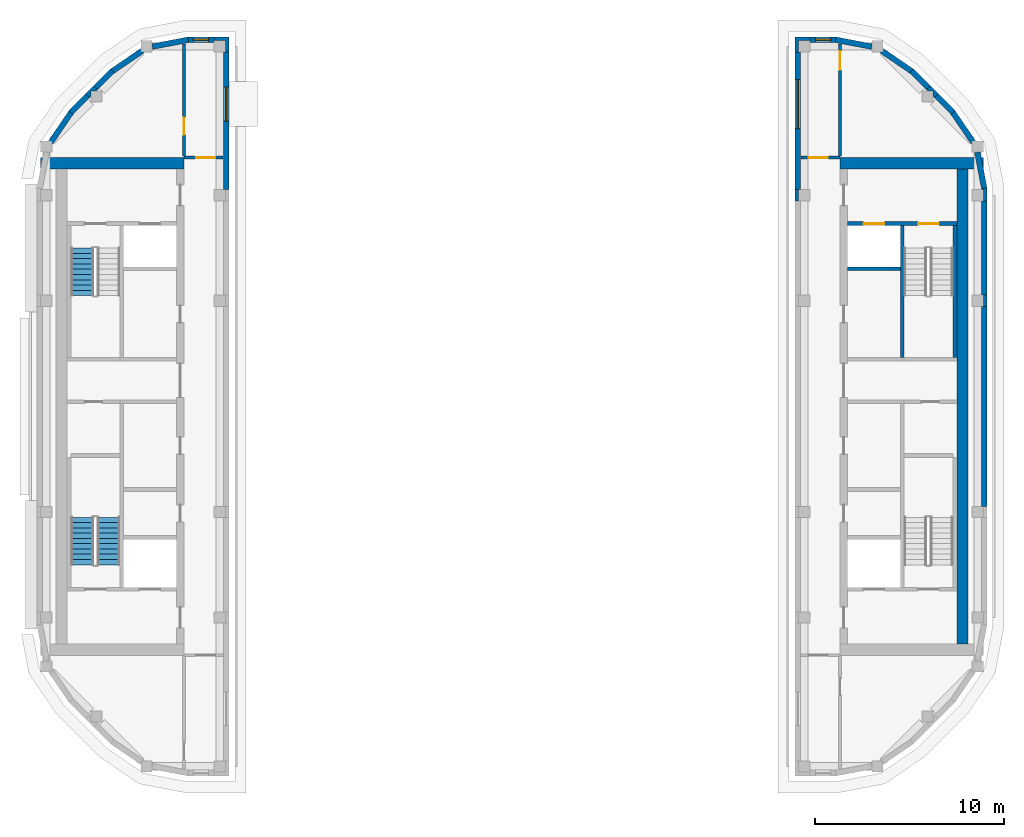
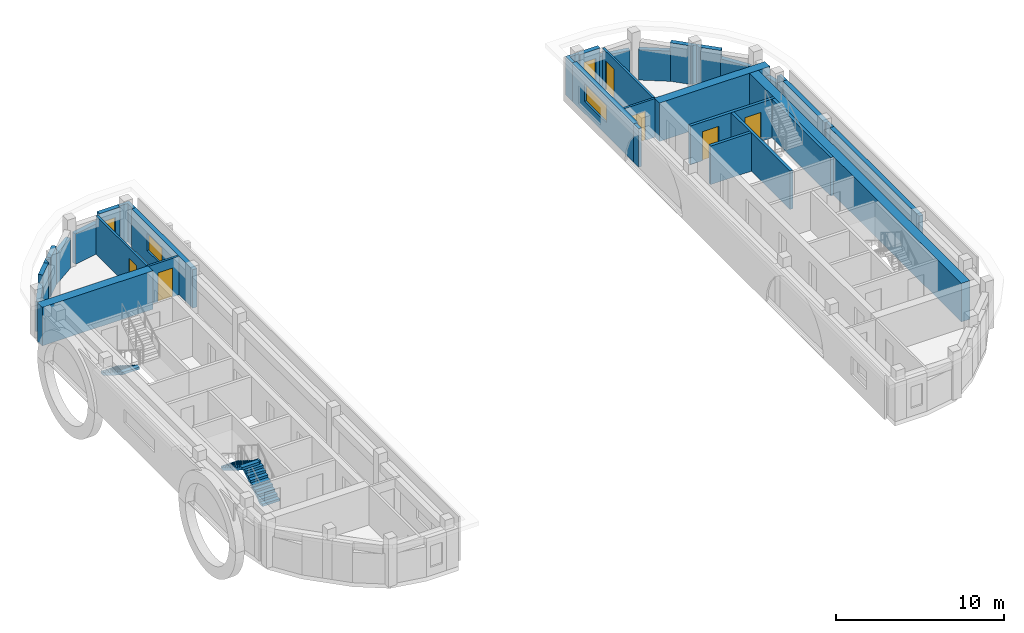
# One storey, part 4 of 12: 35 walls, 6 doors, 4 windows, 3 stair flights, 10 openings, 2 elements without a shape of their own.
"""IFC4 building model written with IfcOpenShell, lengths in metres."""

from ifc_helpers import new_model, si_unit, direction, frame, frame_2d, origin, place, context, subcontext, project, spatial, polyline, rectangle, outline, extrude, material, layer, layer_set, type_object, element, fill, aggregate, save


model = new_model("IFC4")

# Units and contexts
model_context = context("Model", 3, precision=1e-05, world=origin(), true_north=direction((0.0, 1.0)))
body_context = subcontext(model_context, "Body", "Model", "MODEL_VIEW")
ifc_project = project(units=[si_unit("LENGTHUNIT", "METRE"), si_unit("AREAUNIT", "SQUARE_METRE"), si_unit("VOLUMEUNIT", "CUBIC_METRE"), si_unit("PLANEANGLEUNIT", "RADIAN"), si_unit("MASSUNIT", "GRAM", prefix="KILO")], contexts=[model_context])

# Site, building, storey
site_placement = place(None, origin())
site = spatial("IfcSite", under=ifc_project, at=site_placement, CompositionType="ELEMENT")
building_placement = place(site_placement, origin())
building = spatial("IfcBuilding", under=site, at=building_placement, Name="Kiln Ring Residences", CompositionType="ELEMENT")
storey_placement = place(building_placement, frame((0.0, 0.0, 310.39990234375)))
storey = spatial("IfcBuildingStorey", under=building, at=storey_placement, Name="L80 Crown", CompositionType="ELEMENT", Elevation=310.39990234375)

# Walls
ifc_material_1 = material(Name="Gypsum shaft wall system")
ifc_layer_1 = layer(ifc_material_1, 0.199951171875)
ifc_layer_set_1 = layer_set([ifc_layer_1], Name="CORE-SHAFT-WALL-200")
wall_type_1 = type_object("IfcWallType", Name="CORE-SHAFT-WALL-200", PredefinedType="PARTITIONING", material=ifc_layer_set_1)
wall_1_placement = place(storey_placement, frame((17.800048828125, 7.300048828125, 0.0), z_axis=(0.0, 0.0, 1.0), x_axis=(1.0, 0.0, 0.0)))
element("IfcWall", 1, at=wall_1_placement, inside=storey, type_object=wall_type_1, Name="Core partition east L80 Crown 6", PredefinedType="PARTITIONING", context=body_context, shape_type="SweptSolid", body=[
    extrude(rectangle(XDim=2.800048828125, YDim=0.199951171875, at=frame_2d((1.39990234375, 0.0))), origin(), (0.0, 0.0, 1.0), 2.800048828125),
])
ifc_material_2 = material(Name="Concrete C40/50", Category="concrete")
ifc_layer_2 = layer(ifc_material_2, 0.199951171875)
ifc_layer_set_2 = layer_set([ifc_layer_2], Name="CORE-WALL-RC200")
wall_type_2 = type_object("IfcWallType", Name="CORE-WALL-RC200", PredefinedType="SHEAR", material=ifc_layer_set_2)
wall_2_placement = place(storey_placement, frame((20.699951171875, 2.60009765625, 0.0), z_axis=(0.0, 0.0, 1.0), x_axis=(0.0, 1.0, 0.0)))
element("IfcWall", 2, at=wall_2_placement, inside=storey, type_object=wall_type_2, Name="Core wall east L80 Crown 1", PredefinedType="SHEAR", context=body_context, shape_type="SweptSolid", body=[
    extrude(rectangle(XDim=7.0, YDim=0.199951171875, at=frame_2d((3.5, 0.0))), origin(), (0.0, 0.0, 1.0), 2.800048828125),
])

# Wall, openings, doors
wall_3_placement = place(storey_placement, frame((17.800048828125, 9.699951171875, 0.0), z_axis=(0.0, 0.0, 1.0), x_axis=(1.0, 0.0, 0.0)))
wall_3 = element("IfcWall", 3, at=wall_3_placement, inside=storey, type_object=wall_type_2, Name="Core wall east L80 Crown 9", PredefinedType="SHEAR", context=body_context, shape_type="SweptSolid", body=[
    extrude(rectangle(XDim=5.800048828125, YDim=0.199951171875, at=frame_2d((2.89990234375, 0.0))), origin(), (0.0, 0.0, 1.0), 2.800048828125),
])
opening_1_placement = place(wall_3_placement, frame((0.85009765625, 0.0, 0.0)))
opening_1 = element("IfcOpeningElement", 4, at=opening_1_placement, cuts=wall_3, Name="Opening L80-CE05", PredefinedType="OPENING", context=body_context, shape_type="SweptSolid", body=[
    extrude(rectangle(XDim=1.10009765625, YDim=2.10009765625, at=frame_2d((0.550048828125, 1.050048828125))), frame((0.0, 0.10986328125, 0.0), z_axis=(0.0, -1.0, 0.0), x_axis=(1.0, 0.0, 0.0)), (0.0, 0.0, 1.0), 0.219970703125),
])
opening_2_placement = place(wall_3_placement, frame((3.75, 0.0, 0.0)))
opening_2 = element("IfcOpeningElement", 5, at=opening_2_placement, cuts=wall_3, Name="Opening L80-CE08", PredefinedType="OPENING", context=body_context, shape_type="SweptSolid", body=[
    extrude(rectangle(XDim=1.10009765625, YDim=2.10009765625, at=frame_2d((0.550048828125, 1.050048828125))), frame((0.0, 0.10986328125, 0.0), z_axis=(0.0, -1.0, 0.0), x_axis=(1.0, 0.0, 0.0)), (0.0, 0.0, 1.0), 0.219970703125),
])
ifc_material_3 = material(Name="Steel door leaf", Category="steel")
door_type_1 = type_object("IfcDoorType", Name="CORE-DOOR-LD", OperationType="DOUBLE_DOOR_SLIDING", PredefinedType="DOOR", material=ifc_material_3)
door_1_placement = place(opening_1_placement, origin())
door_1 = element("IfcDoor", 6, at=door_1_placement, inside=storey, type_object=door_type_1, Name="LD E-FF L80-CE05", OperationType="DOUBLE_DOOR_SLIDING", OverallHeight=2.10009765625, OverallWidth=1.10009765625, PredefinedType="DOOR", context=body_context, shape_type="SweptSolid", body=[
    extrude(rectangle(XDim=1.10009765625, YDim=2.10009765625, at=frame_2d((0.550048828125, 1.050048828125))), frame((0.0, 0.02490234375, 0.0), z_axis=(0.0, -1.0, 0.0), x_axis=(1.0, 0.0, 0.0)), (0.0, 0.0, 1.0), 0.050048828125),
])
fill(opening_1, door_1)
ifc_material_4 = material(Name="Steel door leaf", Category="steel")
door_type_2 = type_object("IfcDoorType", Name="CORE-DOOR-STAIR", OperationType="SINGLE_SWING_LEFT", PredefinedType="DOOR", material=ifc_material_4)
door_2_placement = place(opening_2_placement, origin())
door_2 = element("IfcDoor", 7, at=door_2_placement, inside=storey, type_object=door_type_2, Name="Stair E-STN L80-CE08", OperationType="SINGLE_SWING_LEFT", OverallHeight=2.10009765625, OverallWidth=1.10009765625, PredefinedType="DOOR", context=body_context, shape_type="SweptSolid", body=[
    extrude(rectangle(XDim=1.10009765625, YDim=2.10009765625, at=frame_2d((0.550048828125, 1.050048828125))), frame((0.0, 0.02490234375, 0.0), z_axis=(0.0, -1.0, 0.0), x_axis=(1.0, 0.0, 0.0)), (0.0, 0.0, 1.0), 0.050048828125),
])
fill(opening_2, door_2)

# Walls
wall_4_placement = place(storey_placement, frame((23.5, 2.60009765625, 0.0), z_axis=(0.0, 0.0, 1.0), x_axis=(0.0, 1.0, 0.0)))
element("IfcWall", 8, at=wall_4_placement, inside=storey, type_object=wall_type_2, Name="Core wall east L80 Crown 10", PredefinedType="SHEAR", context=body_context, shape_type="SweptSolid", body=[
    extrude(rectangle(XDim=7.0, YDim=0.199951171875, at=frame_2d((3.5, 0.0))), origin(), (0.0, 0.0, 1.0), 2.800048828125),
])
ifc_material_5 = material(Name="Concrete C60/75", Category="concrete")
ifc_layer_3 = layer(ifc_material_5, 0.60009765625)
ifc_layer_set_3 = layer_set([ifc_layer_3], Name="CORE-WALL-RC600")
wall_type_3 = type_object("IfcWallType", Name="CORE-WALL-RC600", PredefinedType="SHEAR", material=ifc_layer_set_3)
for number, where, z_axis, x_axis, name in (
    (9, (-17.39990234375, 12.89990234375, 0.0), (0.0, 0.0, 1.0), (-1.0, 0.0, 0.0), "Core wall west L80 Crown 4"),
    (10, (17.39990234375, 12.89990234375, 0.0), (0.0, 0.0, 1.0), (1.0, 0.0, 0.0), "Core wall east L80 Crown 4"),
):
    element("IfcWall", number, at=place(storey_placement, frame(where, z_axis=z_axis, x_axis=x_axis)), inside=storey, type_object=wall_type_3, Name=name, PredefinedType="SHEAR", context=body_context, shape_type="SweptSolid", body=[
        extrude(rectangle(XDim=7.60009765625, YDim=0.60009765625, at=frame_2d((3.800048828125, 0.0))), origin(), (0.0, 0.0, 1.0), 2.800048828125),
    ])
wall_5_placement = place(storey_placement, frame((23.89990234375, -12.60009765625, 0.0), z_axis=(0.0, 0.0, 1.0), x_axis=(0.0, 1.0, 0.0)))
element("IfcWall", 11, at=wall_5_placement, inside=storey, type_object=wall_type_3, Name="Core wall east L80 Crown 7", PredefinedType="SHEAR", context=body_context, shape_type="SweptSolid", body=[
    extrude(rectangle(XDim=25.2001953125, YDim=0.60009765625, at=frame_2d((12.60009765625, 0.0))), origin(), (0.0, 0.0, 1.0), 2.800048828125),
])

# Wall, opening, window
ifc_material_6 = material(Name="Brick masonry, dark clay brick", Category="masonry")
ifc_layer_4 = layer(ifc_material_6, 0.300048828125)
ifc_layer_set_4 = layer_set([ifc_layer_4], Name="EW-300 BRICK WALL")
wall_type_4 = type_object("IfcWallType", Name="EW-300 BRICK WALL", PredefinedType="SOLIDWALL", material=ifc_layer_set_4)
wall_6_placement = place(storey_placement, frame((-15.14990234375, 11.5, 0.0), z_axis=(0.0, 0.0, 1.0), x_axis=(0.0, 1.0, 0.0)))
wall_6 = element("IfcWall", 12, at=wall_6_placement, inside=storey, type_object=wall_type_4, Name="Facade wall L80 Crown 8", PredefinedType="SOLIDWALL", context=body_context, shape_type="SweptSolid", body=[
    extrude(rectangle(XDim=7.300048828125, YDim=0.300048828125, at=frame_2d((3.64990234375, 0.0))), origin(), (0.0, 0.0, 1.0), 2.800048828125),
])
opening_3_placement = place(wall_6_placement, frame((3.637451171875, 0.0, 0.89990234375)))
opening_3 = element("IfcOpeningElement", 13, at=opening_3_placement, cuts=wall_6, Name="Opening W2", PredefinedType="OPENING", context=body_context, shape_type="SweptSolid", body=[
    extrude(rectangle(XDim=1.800048828125, YDim=1.25, at=frame_2d((0.89990234375, 0.625))), frame((0.0, 0.159912109375, 0.0), z_axis=(0.0, -1.0, 0.0), x_axis=(1.0, 0.0, 0.0)), (0.0, 0.0, 1.0), 0.320068359375),
])
ifc_material_7 = material(Name="Aluminium frame with double glazing", Category="aluminium")
window_type_1 = type_object("IfcWindowType", Name="WINDOW 1800 x 1250", PartitioningType="SINGLE_PANEL", PredefinedType="WINDOW", material=ifc_material_7)
window_1_placement = place(opening_3_placement, origin())
window_1 = element("IfcWindow", 14, at=window_1_placement, inside=storey, type_object=window_type_1, Name="Window L80 Crown 3", OverallHeight=1.25, OverallWidth=1.800048828125, PartitioningType="SINGLE_PANEL", PredefinedType="WINDOW", context=body_context, shape_type="SweptSolid", body=[
    extrude(rectangle(XDim=1.800048828125, YDim=1.25, at=frame_2d((0.89990234375, 0.625))), frame((0.0, 0.030029296875, 0.0), z_axis=(0.0, -1.0, 0.0), x_axis=(1.0, 0.0, 0.0)), (0.0, 0.0, 1.0), 0.06005859375),
])
fill(opening_3, window_1)

wall_7_placement = place(storey_placement, frame((-15.800048828125, 19.449951171875, 0.0), z_axis=(0.0, 0.0, 1.0), x_axis=(-1.0, 0.0, 0.0)))
wall_7 = element("IfcWall", 15, at=wall_7_placement, inside=storey, type_object=wall_type_4, Name="Facade wall L80 Crown 9", PredefinedType="SOLIDWALL", context=body_context, shape_type="SweptSolid", body=[
    extrude(rectangle(XDim=1.39990234375, YDim=0.300048828125, at=frame_2d((0.699951171875, 0.0))), origin(), (0.0, 0.0, 1.0), 2.800048828125),
])
opening_4_placement = place(wall_7_placement, frame((0.300048828125, 0.0, 0.60009765625)))
opening_4 = element("IfcOpeningElement", 16, at=opening_4_placement, cuts=wall_7, Name="Opening W5", PredefinedType="OPENING", context=body_context, shape_type="SweptSolid", body=[
    extrude(rectangle(XDim=0.800048828125, YDim=1.550048828125, at=frame_2d((0.39990234375, 0.77490234375))), frame((0.0, 0.159912109375, 0.0), z_axis=(0.0, -1.0, 0.0), x_axis=(1.0, 0.0, 0.0)), (0.0, 0.0, 1.0), 0.320068359375),
])
ifc_material_8 = material(Name="Aluminium frame with double glazing", Category="aluminium")
window_type_2 = type_object("IfcWindowType", Name="WINDOW 800 x 1550", PartitioningType="SINGLE_PANEL", PredefinedType="WINDOW", material=ifc_material_8)
window_2_placement = place(opening_4_placement, origin())
window_2 = element("IfcWindow", 17, at=window_2_placement, inside=storey, type_object=window_type_2, Name="Window L80 Crown 4", OverallHeight=1.550048828125, OverallWidth=0.800048828125, PartitioningType="SINGLE_PANEL", PredefinedType="WINDOW", context=body_context, shape_type="SweptSolid", body=[
    extrude(rectangle(XDim=0.800048828125, YDim=1.550048828125, at=frame_2d((0.39990234375, 0.77490234375))), frame((0.0, 0.030029296875, 0.0), z_axis=(0.0, -1.0, 0.0), x_axis=(1.0, 0.0, 0.0)), (0.0, 0.0, 1.0), 0.06005859375),
])
fill(opening_4, window_2)

# Walls
for number, where, z_axis, x_axis, name in (
    (18, (-17.171875, 19.45263671875, 0.0), (0.0, 0.0, 1.0), (-0.982286967073, -0.187382801553, 0.0), "Facade wall L80 Crown 10"),
    (19, (-19.601806640625, 18.873779296875, 0.0), (0.0, 0.0, 1.0), (-0.827022075481, -0.562169446579, 0.0), "Facade wall L80 Crown 11"),
):
    element("IfcWall", number, at=place(storey_placement, frame(where, z_axis=z_axis, x_axis=x_axis)), inside=storey, type_object=wall_type_4, Name=name, PredefinedType="SOLIDWALL", context=body_context, shape_type="SweptSolid", body=[
        extrude(rectangle(XDim=1.94775390625, YDim=0.300048828125, at=frame_2d((0.973876953125, 0.0))), origin(), (0.0, 0.0, 1.0), 2.2001953125),
    ])
for number, where, z_axis, x_axis, name in (
    (20, (-21.19091796875, 17.796875, 0.0), (0.0, 0.0, 1.0), (-0.707106781187, -0.707106781187, 0.0), "Facade wall L80 Crown 12"),
    (21, (-22.506103515625, 16.481689453125, 0.0), (0.0, 0.0, 1.0), (-0.707203678312, -0.707009870781, 0.0), "Facade wall L80 Crown 13"),
):
    element("IfcWall", number, at=place(storey_placement, frame(where, z_axis=z_axis, x_axis=x_axis)), inside=storey, type_object=wall_type_4, Name=name, PredefinedType="SOLIDWALL", context=body_context, shape_type="SweptSolid", body=[
        extrude(rectangle(XDim=1.259765625, YDim=0.300048828125, at=frame_2d((0.6298828125, 0.0))), origin(), (0.0, 0.0, 1.0), 2.800048828125),
    ])
wall_8_placement = place(storey_placement, frame((-23.37890625, 15.61279296875, 0.0), z_axis=(0.0, 0.0, 1.0), x_axis=(-0.562025435703, -0.827119948752, 0.0)))
element("IfcWall", 22, at=wall_8_placement, inside=storey, type_object=wall_type_4, Name="Facade wall L80 Crown 14", PredefinedType="SOLIDWALL", context=body_context, shape_type="SweptSolid", body=[
    extrude(rectangle(XDim=1.94775390625, YDim=0.300048828125, at=frame_2d((0.973876953125, 0.0))), origin(), (0.0, 0.0, 1.0), 2.2001953125),
])

# Wall, opening, window
wall_9_placement = place(storey_placement, frame((15.14990234375, 18.800048828125, 0.0), z_axis=(0.0, 0.0, 1.0), x_axis=(0.0, -1.0, 0.0)))
wall_9 = element("IfcWall", 23, at=wall_9_placement, inside=storey, type_object=wall_type_4, Name="Facade wall L80 Crown 23", PredefinedType="SOLIDWALL", context=body_context, shape_type="SweptSolid", body=[
    extrude(rectangle(XDim=7.300048828125, YDim=0.300048828125, at=frame_2d((3.64990234375, 0.0))), origin(), (0.0, 0.0, 1.0), 2.800048828125),
])
opening_5_placement = place(wall_9_placement, frame((1.46240234375, 0.0, 0.89990234375)))
opening_5 = element("IfcOpeningElement", 24, at=opening_5_placement, cuts=wall_9, Name="Opening W3", PredefinedType="OPENING", context=body_context, shape_type="SweptSolid", body=[
    extrude(rectangle(XDim=2.60009765625, YDim=1.25, at=frame_2d((1.300048828125, 0.625))), frame((0.0, 0.159912109375, 0.0), z_axis=(0.0, -1.0, 0.0), x_axis=(1.0, 0.0, 0.0)), (0.0, 0.0, 1.0), 0.320068359375),
])
ifc_material_9 = material(Name="Aluminium frame with double glazing", Category="aluminium")
window_type_3 = type_object("IfcWindowType", Name="WINDOW 2600 x 1250", PartitioningType="SINGLE_PANEL", PredefinedType="WINDOW", material=ifc_material_9)
window_3_placement = place(opening_5_placement, origin())
window_3 = element("IfcWindow", 25, at=window_3_placement, inside=storey, type_object=window_type_3, Name="Window L80 Crown 5", OverallHeight=1.25, OverallWidth=2.60009765625, PartitioningType="SINGLE_PANEL", PredefinedType="WINDOW", context=body_context, shape_type="SweptSolid", body=[
    extrude(rectangle(XDim=2.60009765625, YDim=1.25, at=frame_2d((1.300048828125, 0.625))), frame((0.0, 0.030029296875, 0.0), z_axis=(0.0, -1.0, 0.0), x_axis=(1.0, 0.0, 0.0)), (0.0, 0.0, 1.0), 0.06005859375),
])
fill(opening_5, window_3)

# Walls
wall_10_placement = place(storey_placement, frame((25.050048828125, -5.300048828125, 0.0), z_axis=(0.0, 0.0, 1.0), x_axis=(0.0, 1.0, 0.0)))
element("IfcWall", 26, at=wall_10_placement, inside=storey, type_object=wall_type_4, Name="Facade wall L80 Crown 36", PredefinedType="SOLIDWALL", context=body_context, shape_type="SweptSolid", body=[
    extrude(rectangle(XDim=10.60009765625, YDim=0.300048828125, at=frame_2d((5.300048828125, 0.0))), origin(), (0.0, 0.0, 1.0), 2.800048828125),
])
wall_11_placement = place(storey_placement, frame((25.050048828125, 5.89990234375, 0.0), z_axis=(0.0, 0.0, 1.0), x_axis=(0.0, 1.0, 0.0)))
element("IfcWall", 27, at=wall_11_placement, inside=storey, type_object=wall_type_4, Name="Facade wall L80 Crown 37", PredefinedType="SOLIDWALL", context=body_context, shape_type="SweptSolid", body=[
    extrude(rectangle(XDim=5.0, YDim=0.300048828125, at=frame_2d((2.5, 0.0))), origin(), (0.0, 0.0, 1.0), 2.800048828125),
])
wall_12_placement = place(storey_placement, frame((25.052490234375, 11.57275390625, 0.0), z_axis=(0.0, 0.0, 1.0), x_axis=(-0.187354129902, 0.982292436095, 0.0)))
element("IfcWall", 28, at=wall_12_placement, inside=storey, type_object=wall_type_4, Name="Facade wall L80 Crown 38", PredefinedType="SOLIDWALL", context=body_context, shape_type="SweptSolid", body=[
    extrude(rectangle(XDim=1.94677734375, YDim=0.300048828125, at=frame_2d((0.973388671875, 0.0))), origin(), (0.0, 0.0, 1.0), 2.2001953125),
])
wall_13_placement = place(storey_placement, frame((24.4736328125, 14.001708984375, 0.0), z_axis=(0.0, 0.0, 1.0), x_axis=(-0.562025435703, 0.827119948752, 0.0)))
element("IfcWall", 29, at=wall_13_placement, inside=storey, type_object=wall_type_4, Name="Facade wall L80 Crown 39", PredefinedType="SOLIDWALL", context=body_context, shape_type="SweptSolid", body=[
    extrude(rectangle(XDim=1.94775390625, YDim=0.300048828125, at=frame_2d((0.973876953125, 0.0))), origin(), (0.0, 0.0, 1.0), 2.2001953125),
])
for number, where, z_axis, x_axis, name in (
    (30, (23.39697265625, 15.591064453125, 0.0), (0.0, 0.0, 1.0), (-0.707203678312, 0.707009870781, 0.0), "Facade wall L80 Crown 40"),
    (31, (22.081787109375, 16.906005859375, 0.0), (0.0, 0.0, 1.0), (-0.707106781187, 0.707106781187, 0.0), "Facade wall L80 Crown 41"),
):
    element("IfcWall", number, at=place(storey_placement, frame(where, z_axis=z_axis, x_axis=x_axis)), inside=storey, type_object=wall_type_4, Name=name, PredefinedType="SOLIDWALL", context=body_context, shape_type="SweptSolid", body=[
        extrude(rectangle(XDim=1.259765625, YDim=0.300048828125, at=frame_2d((0.6298828125, 0.0))), origin(), (0.0, 0.0, 1.0), 2.800048828125),
    ])
for number, where, z_axis, x_axis, name in (
    (32, (21.212646484375, 17.77880859375, 0.0), (0.0, 0.0, 1.0), (-0.827022075481, 0.562169446579, 0.0), "Facade wall L80 Crown 42"),
    (33, (19.085205078125, 19.087646484375, 0.0), (0.0, 0.0, 1.0), (-0.982286967073, 0.187382801553, 0.0), "Facade wall L80 Crown 43"),
):
    element("IfcWall", number, at=place(storey_placement, frame(where, z_axis=z_axis, x_axis=x_axis)), inside=storey, type_object=wall_type_4, Name=name, PredefinedType="SOLIDWALL", context=body_context, shape_type="SweptSolid", body=[
        extrude(rectangle(XDim=1.94775390625, YDim=0.300048828125, at=frame_2d((0.973876953125, 0.0))), origin(), (0.0, 0.0, 1.0), 2.2001953125),
    ])

# Wall, opening, window
wall_14_placement = place(storey_placement, frame((17.199951171875, 19.449951171875, 0.0), z_axis=(0.0, 0.0, 1.0), x_axis=(-1.0, 0.0, 0.0)))
wall_14 = element("IfcWall", 34, at=wall_14_placement, inside=storey, type_object=wall_type_4, Name="Facade wall L80 Crown 44", PredefinedType="SOLIDWALL", context=body_context, shape_type="SweptSolid", body=[
    extrude(rectangle(XDim=1.39990234375, YDim=0.300048828125, at=frame_2d((0.699951171875, 0.0))), origin(), (0.0, 0.0, 1.0), 2.800048828125),
])
opening_6_placement = place(wall_14_placement, frame((0.300048828125, 0.0, 0.60009765625)))
opening_6 = element("IfcOpeningElement", 35, at=opening_6_placement, cuts=wall_14, Name="Opening W5", PredefinedType="OPENING", context=body_context, shape_type="SweptSolid", body=[
    extrude(rectangle(XDim=0.800048828125, YDim=1.550048828125, at=frame_2d((0.39990234375, 0.77490234375))), frame((0.0, 0.159912109375, 0.0), z_axis=(0.0, -1.0, 0.0), x_axis=(1.0, 0.0, 0.0)), (0.0, 0.0, 1.0), 0.320068359375),
])
window_4_placement = place(opening_6_placement, origin())
window_4 = element("IfcWindow", 36, at=window_4_placement, inside=storey, type_object=window_type_2, Name="Window L80 Crown 8", OverallHeight=1.550048828125, OverallWidth=0.800048828125, PartitioningType="SINGLE_PANEL", PredefinedType="WINDOW", context=body_context, shape_type="SweptSolid", body=[
    extrude(rectangle(XDim=0.800048828125, YDim=1.550048828125, at=frame_2d((0.39990234375, 0.77490234375))), frame((0.0, 0.030029296875, 0.0), z_axis=(0.0, -1.0, 0.0), x_axis=(1.0, 0.0, 0.0)), (0.0, 0.0, 1.0), 0.06005859375),
])
fill(opening_6, window_4)

# Walls
placement = place(storey_placement, origin())
element("IfcWall", 37, at=placement, inside=storey, type_object=wall_type_4, Name="Corner wall L80 Crown 5", PredefinedType="SOLIDWALL", context=body_context, shape_type="SweptSolid", body=[
    extrude(outline(polyline([(-21.9755859375, 16.800048828125), (-22.18798828125, 17.01220703125), (-22.612060546875, 16.587890625), (-22.39990234375, 16.375732421875), (-22.346435546875, 16.42919921875), (-22.346435546875, 16.746337890625), (-22.029296875, 16.746337890625), (-21.9755859375, 16.800048828125)])), origin(), (0.0, 0.0, 1.0), 2.800048828125),
])
element("IfcWall", 38, at=placement, inside=storey, type_object=wall_type_4, Name="Corner wall L80 Crown 6", PredefinedType="SOLIDWALL", context=body_context, shape_type="SweptSolid", body=[
    extrude(outline(polyline([(-15.0, 18.800048828125), (-15.0, 19.60009765625), (-15.800048828125, 19.60009765625), (-15.800048828125, 19.39990234375), (-15.199951171875, 19.39990234375), (-15.199951171875, 18.800048828125), (-15.0, 18.800048828125)])), origin(), (0.0, 0.0, 1.0), 2.800048828125),
])
element("IfcWall", 39, at=placement, inside=storey, type_object=wall_type_4, Name="Corner wall L80 Crown 13", PredefinedType="SOLIDWALL", context=body_context, shape_type="SweptSolid", body=[
    extrude(outline(polyline([(22.39990234375, 16.375732421875), (22.612060546875, 16.587890625), (22.18798828125, 17.01220703125), (21.9755859375, 16.800048828125), (22.029296875, 16.746337890625), (22.346435546875, 16.746337890625), (22.346435546875, 16.42919921875), (22.39990234375, 16.375732421875)])), origin(), (0.0, 0.0, 1.0), 2.800048828125),
])
element("IfcWall", 40, at=placement, inside=storey, type_object=wall_type_4, Name="Corner wall L80 Crown 14", PredefinedType="SOLIDWALL", context=body_context, shape_type="SweptSolid", body=[
    extrude(outline(polyline([(25.199951171875, 10.89990234375), (25.199951171875, 11.600830078125), (24.9033203125, 11.544189453125), (24.89990234375, 11.56103515625), (24.89990234375, 11.5), (25.0, 11.5), (25.0, 10.89990234375), (25.199951171875, 10.89990234375)])), origin(), (0.0, 0.0, 1.0), 2.800048828125),
])
element("IfcWall", 41, at=placement, inside=storey, type_object=wall_type_4, Name="Corner wall L80 Crown 15", PredefinedType="SOLIDWALL", context=body_context, shape_type="SweptSolid", body=[
    extrude(outline(polyline([(25.0, 5.300048828125), (25.199951171875, 5.300048828125), (25.199951171875, 5.89990234375), (24.89990234375, 5.89990234375), (25.0, 5.89990234375), (25.0, 5.300048828125)])), origin(), (0.0, 0.0, 1.0), 2.800048828125),
])
element("IfcWall", 42, at=placement, inside=storey, type_object=wall_type_4, Name="Corner wall L80 Crown 23", PredefinedType="SOLIDWALL", context=body_context, shape_type="SweptSolid", body=[
    extrude(outline(polyline([(15.199951171875, 11.5), (15.0, 11.5), (15.0, 10.89990234375), (15.199951171875, 10.89990234375), (15.199951171875, 11.5)])), origin(), (0.0, 0.0, 1.0), 2.800048828125),
])
element("IfcWall", 43, at=placement, inside=storey, type_object=wall_type_4, Name="Corner wall L80 Crown 24", PredefinedType="SOLIDWALL", context=body_context, shape_type="SweptSolid", body=[
    extrude(outline(polyline([(15.800048828125, 19.60009765625), (15.0, 19.60009765625), (15.0, 18.800048828125), (15.199951171875, 18.800048828125), (15.199951171875, 19.39990234375), (15.800048828125, 19.39990234375), (15.800048828125, 19.60009765625)])), origin(), (0.0, 0.0, 1.0), 2.800048828125),
])

# Wall, opening, door
ifc_material_10 = material(Name="Brick masonry partition", Category="masonry")
ifc_layer_5 = layer(ifc_material_10, 0.14990234375)
ifc_layer_set_5 = layer_set([ifc_layer_5], Name="PARTITION-150-ei60")
wall_type_5 = type_object("IfcWallType", Name="PARTITION-150-ei60", PredefinedType="PARTITIONING", material=ifc_layer_set_5)
wall_22_placement = place(storey_placement, frame((-17.405029296875, 13.199951171875, 0.0), z_axis=(0.0, 0.0, 1.0), x_axis=(1.0, 0.0, 0.0)))
wall_22 = element("IfcWall", 44, at=wall_22_placement, inside=storey, type_object=wall_type_5, Name="Partition 002", PredefinedType="PARTITIONING", context=body_context, shape_type="SweptSolid", body=[
    extrude(rectangle(XDim=2.0849609375, YDim=0.14990234375, at=frame_2d((1.04248046875, 0.0))), origin(), (0.0, 0.0, 1.0), 2.800048828125),
])
opening_7_placement = place(wall_22_placement, frame((0.6650390625, 0.0, 0.0)))
opening_7 = element("IfcOpeningElement", 45, at=opening_7_placement, cuts=wall_22, Name="Opening L80-D001", PredefinedType="OPENING", context=body_context, shape_type="SweptSolid", body=[
    extrude(rectangle(XDim=1.0, YDim=2.10009765625, at=frame_2d((0.5, 1.050048828125))), frame((0.0, 0.0849609375, 0.0), z_axis=(0.0, -1.0, 0.0), x_axis=(1.0, 0.0, 0.0)), (0.0, 0.0, 1.0), 0.169921875),
])
ifc_material_11 = material(Name="Steel faced fire door leaf", Category="steel")
door_type_3 = type_object("IfcDoorType", Name="FLAT-DOOR-1000-FR", OperationType="SINGLE_SWING_LEFT", PredefinedType="DOOR", material=ifc_material_11)
door_3_placement = place(opening_7_placement, origin())
door_3 = element("IfcDoor", 46, at=door_3_placement, inside=storey, type_object=door_type_3, Name="Door L80-D001", OperationType="SINGLE_SWING_RIGHT", OverallHeight=2.10009765625, OverallWidth=1.0, PredefinedType="DOOR", context=body_context, shape_type="SweptSolid", body=[
    extrude(rectangle(XDim=1.0, YDim=2.10009765625, at=frame_2d((0.5, 1.050048828125))), frame((0.0, 0.02490234375, 0.0), z_axis=(0.0, -1.0, 0.0), x_axis=(1.0, 0.0, 0.0)), (0.0, 0.0, 1.0), 0.050048828125),
])
fill(opening_7, door_3)

wall_23_placement = place(storey_placement, frame((15.320068359375, 13.199951171875, 0.0), z_axis=(0.0, 0.0, 1.0), x_axis=(1.0, 0.0, 0.0)))
wall_23 = element("IfcWall", 47, at=wall_23_placement, inside=storey, type_object=wall_type_5, Name="Partition 003", PredefinedType="PARTITIONING", context=body_context, shape_type="SweptSolid", body=[
    extrude(rectangle(XDim=2.0849609375, YDim=0.14990234375, at=frame_2d((1.04248046875, 0.0))), origin(), (0.0, 0.0, 1.0), 2.800048828125),
])
opening_8_placement = place(wall_23_placement, frame((0.429931640625, 0.0, 0.0)))
opening_8 = element("IfcOpeningElement", 48, at=opening_8_placement, cuts=wall_23, Name="Opening L80-D005", PredefinedType="OPENING", context=body_context, shape_type="SweptSolid", body=[
    extrude(rectangle(XDim=1.0, YDim=2.10009765625, at=frame_2d((0.5, 1.050048828125))), frame((0.0, 0.0849609375, 0.0), z_axis=(0.0, -1.0, 0.0), x_axis=(1.0, 0.0, 0.0)), (0.0, 0.0, 1.0), 0.169921875),
])
door_4_placement = place(opening_8_placement, origin())
door_4 = element("IfcDoor", 49, at=door_4_placement, inside=storey, type_object=door_type_3, Name="Door L80-D005", OperationType="SINGLE_SWING_RIGHT", OverallHeight=2.10009765625, OverallWidth=1.0, PredefinedType="DOOR", context=body_context, shape_type="SweptSolid", body=[
    extrude(rectangle(XDim=1.0, YDim=2.10009765625, at=frame_2d((0.5, 1.050048828125))), frame((0.0, 0.02490234375, 0.0), z_axis=(0.0, -1.0, 0.0), x_axis=(1.0, 0.0, 0.0)), (0.0, 0.0, 1.0), 0.050048828125),
])
fill(opening_8, door_4)

wall_24_placement = place(storey_placement, frame((-17.39990234375, 13.27490234375, 0.0), z_axis=(0.0, 0.0, 1.0), x_axis=(0.0, 1.0, 0.0)))
wall_24 = element("IfcWall", 50, at=wall_24_placement, inside=storey, type_object=wall_type_5, Name="Partition 005", PredefinedType="PARTITIONING", context=body_context, shape_type="SweptSolid", body=[
    extrude(rectangle(XDim=5.96142578125, YDim=0.14990234375, at=frame_2d((2.980712890625, 0.0))), origin(), (0.0, 0.0, 1.0), 2.800048828125),
])
opening_9_placement = place(wall_24_placement, frame((1.14501953125, 0.0, 0.0)))
opening_9 = element("IfcOpeningElement", 51, at=opening_9_placement, cuts=wall_24, Name="Opening L80-D002", PredefinedType="OPENING", context=body_context, shape_type="SweptSolid", body=[
    extrude(rectangle(XDim=0.89990234375, YDim=2.10009765625, at=frame_2d((0.449951171875, 1.050048828125))), frame((0.0, 0.0849609375, 0.0), z_axis=(0.0, -1.0, 0.0), x_axis=(1.0, 0.0, 0.0)), (0.0, 0.0, 1.0), 0.169921875),
])
ifc_material_12 = material(Name="Steel faced fire door leaf", Category="steel")
door_type_4 = type_object("IfcDoorType", Name="FLAT-DOOR-900-FR", OperationType="SINGLE_SWING_LEFT", PredefinedType="DOOR", material=ifc_material_12)
door_5_placement = place(opening_9_placement, origin())
door_5 = element("IfcDoor", 52, at=door_5_placement, inside=storey, type_object=door_type_4, Name="Door L80-D002", OperationType="SINGLE_SWING_RIGHT", OverallHeight=2.10009765625, OverallWidth=0.89990234375, PredefinedType="DOOR", context=body_context, shape_type="SweptSolid", body=[
    extrude(rectangle(XDim=0.89990234375, YDim=2.10009765625, at=frame_2d((0.449951171875, 1.050048828125))), frame((0.0, 0.02490234375, 0.0), z_axis=(0.0, -1.0, 0.0), x_axis=(1.0, 0.0, 0.0)), (0.0, 0.0, 1.0), 0.050048828125),
])
fill(opening_9, door_5)

wall_25_placement = place(storey_placement, frame((17.39990234375, 13.27490234375, 0.0), z_axis=(0.0, 0.0, 1.0), x_axis=(0.0, 1.0, 0.0)))
wall_25 = element("IfcWall", 53, at=wall_25_placement, inside=storey, type_object=wall_type_5, Name="Partition 007", PredefinedType="PARTITIONING", context=body_context, shape_type="SweptSolid", body=[
    extrude(rectangle(XDim=5.96142578125, YDim=0.14990234375, at=frame_2d((2.980712890625, 0.0))), origin(), (0.0, 0.0, 1.0), 2.800048828125),
])
opening_10_placement = place(wall_25_placement, frame((4.574951171875, 0.0, 0.0)))
opening_10 = element("IfcOpeningElement", 54, at=opening_10_placement, cuts=wall_25, Name="Opening L80-D006", PredefinedType="OPENING", context=body_context, shape_type="SweptSolid", body=[
    extrude(rectangle(XDim=1.0, YDim=2.10009765625, at=frame_2d((0.5, 1.050048828125))), frame((0.0, 0.0849609375, 0.0), z_axis=(0.0, -1.0, 0.0), x_axis=(1.0, 0.0, 0.0)), (0.0, 0.0, 1.0), 0.169921875),
])
door_6_placement = place(opening_10_placement, origin())
door_6 = element("IfcDoor", 55, at=door_6_placement, inside=storey, type_object=door_type_3, Name="Door L80-D006", OperationType="SINGLE_SWING_RIGHT", OverallHeight=2.10009765625, OverallWidth=1.0, PredefinedType="DOOR", context=body_context, shape_type="SweptSolid", body=[
    extrude(rectangle(XDim=1.0, YDim=2.10009765625, at=frame_2d((0.5, 1.050048828125))), frame((0.0, 0.02490234375, 0.0), z_axis=(0.0, -1.0, 0.0), x_axis=(1.0, 0.0, 0.0)), (0.0, 0.0, 1.0), 0.050048828125),
])
fill(opening_10, door_6)

# Stair, stair flight
ifc_material_13 = material(Name="Concrete C40/50", Category="concrete")
stair_type = type_object("IfcStairType", Name="CORE-STAIR", PredefinedType="HALF_TURN_STAIR", material=ifc_material_13)
stair_1 = element("IfcStair", 56, at=placement, inside=storey, type_object=stair_type, Name="L80 Crown stair W-STN", PredefinedType="HALF_TURN_STAIR")
ifc_material_14 = material(Name="Concrete C40/50", Category="concrete")
stair_flight_type = type_object("IfcStairFlightType", Name="CORE-STAIR-FLIGHT", PredefinedType="STRAIGHT", material=ifc_material_14)
stair_flight_1_placement = place(storey_placement, frame((-22.800048828125, 8.39990234375, 0.0), z_axis=(0.0, 0.0, 1.0), x_axis=(0.0, -1.0, 0.0)))
stair_flight_1 = element("IfcStairFlight", 57, at=stair_flight_1_placement, type_object=stair_flight_type, Name="W-STN flight 1", NumberOfRisers=10, NumberOfTreads=9, PredefinedType="STRAIGHT", RiserHeight=0.175, TreadLength=0.28, context=body_context, shape_type="SweptSolid", body=[
    extrude(outline(polyline([(0.0, 0.0), (0.0, 0.175048828125), (0.280029296875, 0.175048828125), (0.280029296875, 0.35009765625), (0.56005859375, 0.35009765625), (0.56005859375, 0.52490234375), (0.840087890625, 0.52490234375), (0.840087890625, 0.699951171875), (1.1201171875, 0.699951171875), (1.1201171875, 0.875), (1.39990234375, 0.875), (1.39990234375, 1.050048828125), (1.679931640625, 1.050048828125), (1.679931640625, 1.22509765625), (1.9599609375, 1.22509765625), (1.9599609375, 1.39990234375), (2.239990234375, 1.39990234375), (2.239990234375, 1.574951171875), (2.52001953125, 1.574951171875), (2.52001953125, 1.75), (2.52001953125, 1.398193359375), (0.28271484375, 0.0), (0.0, 0.0)])), frame((0.0, 0.60009765625, 0.0), z_axis=(0.0, -1.0, 0.0), x_axis=(1.0, 0.0, 0.0)), (0.0, 0.0, 1.0), 1.199951171875),
])
aggregate(stair_1, [stair_flight_1])

# Stair, stair flights
stair_2 = element("IfcStair", 58, at=placement, inside=storey, type_object=stair_type, Name="L80 Crown stair W-STS", PredefinedType="HALF_TURN_STAIR")
stair_flight_2_placement = place(storey_placement, frame((-21.39990234375, -8.39990234375, 0.0), z_axis=(0.0, 0.0, 1.0), x_axis=(0.0, 1.0, 0.0)))
stair_flight_2 = element("IfcStairFlight", 59, at=stair_flight_2_placement, type_object=stair_flight_type, Name="W-STS flight 1", NumberOfRisers=10, NumberOfTreads=9, PredefinedType="STRAIGHT", RiserHeight=0.175, TreadLength=0.28, context=body_context, shape_type="SweptSolid", body=[
    extrude(outline(polyline([(0.0, 0.0), (0.0, 0.175048828125), (0.280029296875, 0.175048828125), (0.280029296875, 0.35009765625), (0.56005859375, 0.35009765625), (0.56005859375, 0.52490234375), (0.840087890625, 0.52490234375), (0.840087890625, 0.699951171875), (1.1201171875, 0.699951171875), (1.1201171875, 0.875), (1.39990234375, 0.875), (1.39990234375, 1.050048828125), (1.679931640625, 1.050048828125), (1.679931640625, 1.22509765625), (1.9599609375, 1.22509765625), (1.9599609375, 1.39990234375), (2.239990234375, 1.39990234375), (2.239990234375, 1.574951171875), (2.52001953125, 1.574951171875), (2.52001953125, 1.75), (2.52001953125, 1.398193359375), (0.28271484375, 0.0), (0.0, 0.0)])), frame((0.0, 0.60009765625, 0.0), z_axis=(0.0, -1.0, 0.0), x_axis=(1.0, 0.0, 0.0)), (0.0, 0.0, 1.0), 1.199951171875),
])
stair_flight_3_placement = place(storey_placement, frame((-22.800048828125, -5.8798828125, 1.75), z_axis=(0.0, 0.0, 1.0), x_axis=(0.0, -1.0, 0.0)))
stair_flight_3 = element("IfcStairFlight", 60, at=stair_flight_3_placement, type_object=stair_flight_type, Name="W-STS flight 2", NumberOfRisers=10, NumberOfTreads=9, PredefinedType="STRAIGHT", RiserHeight=0.175, TreadLength=0.28, context=body_context, shape_type="SweptSolid", body=[
    extrude(outline(polyline([(0.0, 0.0), (0.0, 0.175048828125), (0.280029296875, 0.175048828125), (0.280029296875, 0.35009765625), (0.56005859375, 0.35009765625), (0.56005859375, 0.52490234375), (0.840087890625, 0.52490234375), (0.840087890625, 0.699951171875), (1.1201171875, 0.699951171875), (1.1201171875, 0.875), (1.39990234375, 0.875), (1.39990234375, 1.050048828125), (1.679931640625, 1.050048828125), (1.679931640625, 1.22509765625), (1.9599609375, 1.22509765625), (1.9599609375, 1.39990234375), (2.239990234375, 1.39990234375), (2.239990234375, 1.574951171875), (2.52001953125, 1.574951171875), (2.52001953125, 1.75), (2.52001953125, 1.398193359375), (0.28271484375, 0.0), (0.0, 0.0)])), frame((0.0, 0.60009765625, 0.0), z_axis=(0.0, -1.0, 0.0), x_axis=(1.0, 0.0, 0.0)), (0.0, 0.0, 1.0), 1.199951171875),
])
aggregate(stair_2, [stair_flight_2, stair_flight_3])

save(model, "model.ifc")
